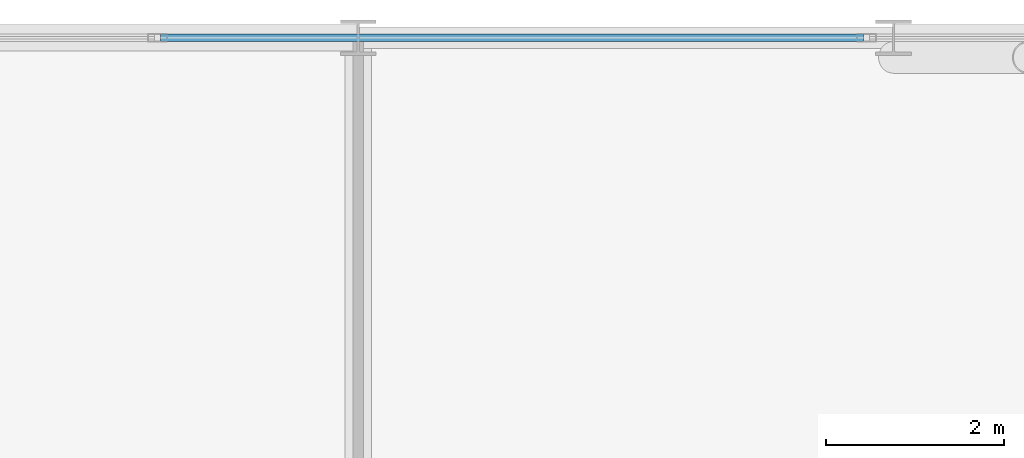
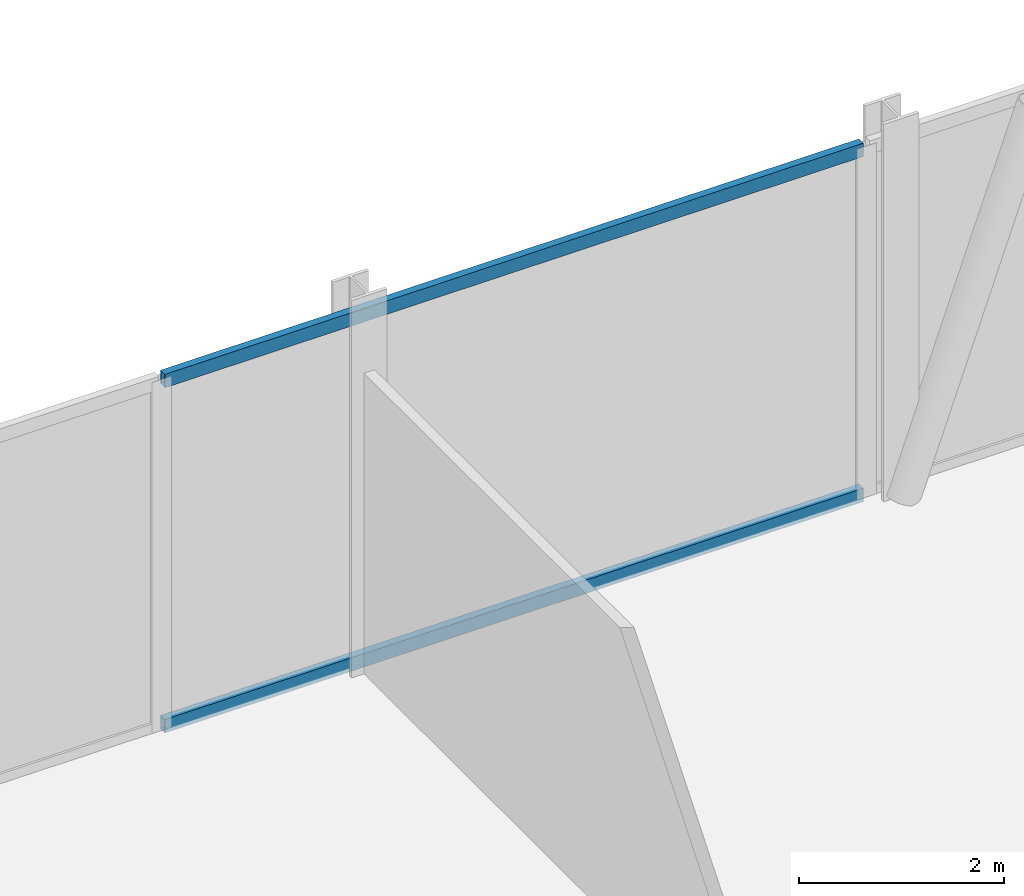
# One storey, part 15 of 30: 2 members, 1 element without a shape of its own.
"""IFC4 building model written with IfcOpenShell, lengths in metres."""

from ifc_helpers import new_model, si_unit, direction, frame, origin, origin_2d, place, context, subcontext, project, spatial, hollow_rectangle, extrude, material, layer, layer_set, material_profile, profile_set, type_object, element, aggregate, save


model = new_model("IFC4")

# Units and contexts
model_context = context("Model", 3, precision=1e-05, world=origin(), true_north=direction((0.0, 1.0)))
body_context = subcontext(model_context, "Body", "Model", "MODEL_VIEW")
ifc_project = project(units=[si_unit("LENGTHUNIT", "METRE"), si_unit("AREAUNIT", "SQUARE_METRE"), si_unit("VOLUMEUNIT", "CUBIC_METRE"), si_unit("PLANEANGLEUNIT", "RADIAN"), si_unit("MASSUNIT", "GRAM", prefix="KILO")], contexts=[model_context])

# Site, building, storey
site_placement = place(None, origin())
site = spatial("IfcSite", under=ifc_project, at=site_placement, CompositionType="ELEMENT")
building_placement = place(site_placement, origin())
building = spatial("IfcBuilding", under=site, at=building_placement, Name="Keshet Zoharim Tower", CompositionType="ELEMENT")
storey_placement = place(building_placement, frame((0.0, 0.0, 65.60009765625)))
storey = spatial("IfcBuildingStorey", under=building, at=storey_placement, Name="L15", CompositionType="ELEMENT", Elevation=65.60009765625)

# Curtain wall, members
ifc_material = material(Name="Aluminium 6063-T6", Category="aluminium")
ifc_layer = layer(ifc_material, 0.169921875)
ifc_layer_set = layer_set([ifc_layer], Name="Aluminium 6063-T6")
curtain_wall_type = type_object("IfcCurtainWallType", Name="CW-SYS-02", PredefinedType="NOTDEFINED", material=ifc_layer_set)
curtain_wall_placement = place(storey_placement, origin())
curtain_wall = element("IfcCurtainWall", 1, at=curtain_wall_placement, inside=storey, type_object=curtain_wall_type, Name="L15 Unitised Curtain Wall 04 Part 3", PredefinedType="NOTDEFINED")
ifc_material_profile = material_profile(ifc_material, hollow_rectangle(XDim=0.0849609375, YDim=0.159912109375, WallThickness=0.00439453125, at=origin_2d()), Name="TRN-85x160")
ifc_profile_set = profile_set([ifc_material_profile], Name="Aluminium 6063-T6")
member_type = type_object("IfcMemberType", Name="CWT-T16", PredefinedType="USERDEFINED", material=ifc_profile_set)
member_1_placement = place(storey_placement, frame((30.784912109375, 53.89990234375, 0.034912109375), z_axis=(1.0, 0.0, 0.0), x_axis=(0.0, 1.0, 0.0)))
member_1 = element("IfcMember", 2, at=member_1_placement, type_object=member_type, Name="CW-02 transom 2.1", ObjectType="TRANSOM", PredefinedType="USERDEFINED", context=body_context, shape_type="SweptSolid", body=[
    extrude(hollow_rectangle(XDim=0.0849609375, YDim=0.159912109375, WallThickness=0.00439453125, at=origin_2d()), origin(), (0.0, 0.0, 1.0), 7.877685546875),
])
member_2_placement = place(storey_placement, frame((30.784912109375, 53.89990234375, 4.14990234375), z_axis=(1.0, 0.0, 0.0), x_axis=(0.0, 1.0, 0.0)))
member_2 = element("IfcMember", 3, at=member_2_placement, type_object=member_type, Name="CW-02 transom 2.2", ObjectType="TRANSOM", PredefinedType="USERDEFINED", context=body_context, shape_type="SweptSolid", body=[
    extrude(hollow_rectangle(XDim=0.0849609375, YDim=0.159912109375, WallThickness=0.00439453125, at=origin_2d()), origin(), (0.0, 0.0, 1.0), 7.877685546875),
])
aggregate(curtain_wall, [member_1, member_2])

save(model, "model.ifc")
